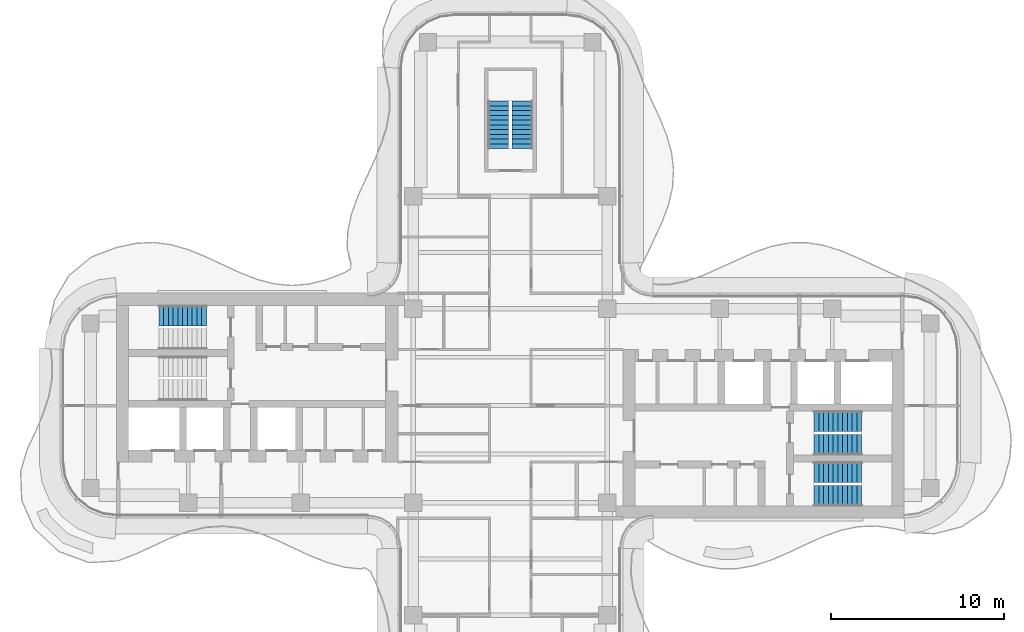
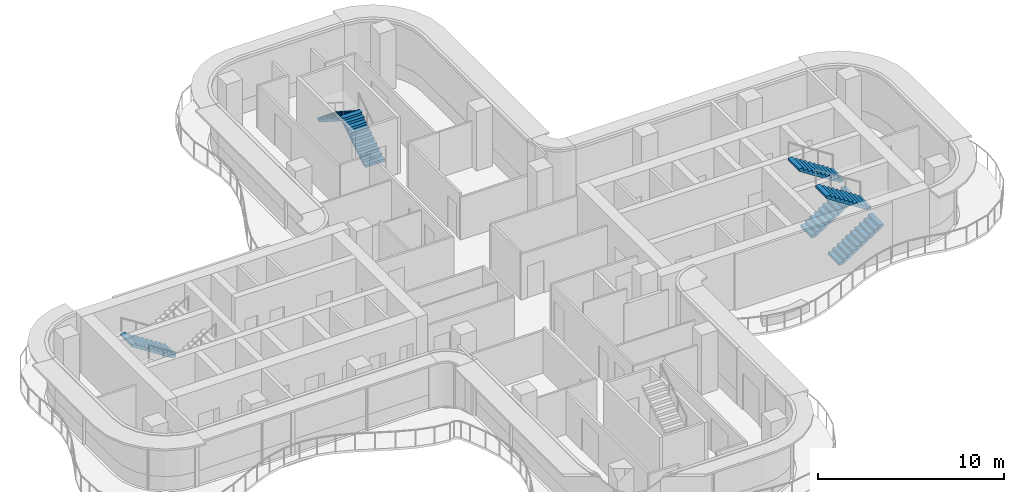
# One storey, part 14 of 16: 7 stair flights, 4 elements without a shape of their own.
"""IFC4 building model written with IfcOpenShell, lengths in metres."""

from ifc_helpers import new_model, si_unit, direction, frame, origin, place, context, subcontext, project, spatial, polyline, outline, extrude, source, transform, mapped, material, type_object, element, aggregate, save


model = new_model("IFC4")

# Units and contexts
model_context = context("Model", 3, precision=1e-05, world=origin(), true_north=direction((0.0, 1.0)))
body_context = subcontext(model_context, "Body", "Model", "MODEL_VIEW")
ifc_project = project(units=[si_unit("LENGTHUNIT", "METRE"), si_unit("AREAUNIT", "SQUARE_METRE"), si_unit("VOLUMEUNIT", "CUBIC_METRE"), si_unit("PLANEANGLEUNIT", "RADIAN"), si_unit("MASSUNIT", "GRAM", prefix="KILO")], contexts=[model_context])

# Site, building, storey
site_placement = place(None, origin())
site = spatial("IfcSite", under=ifc_project, at=site_placement, CompositionType="ELEMENT")
building_placement = place(site_placement, origin())
building = spatial("IfcBuilding", under=site, at=building_placement, Name="Trellis Farm Tower", CompositionType="ELEMENT")
storey_placement = place(building_placement, frame((0.0, 0.0, 291.10009765625)))
storey = spatial("IfcBuildingStorey", under=building, at=storey_placement, Name="L65", CompositionType="ELEMENT", Elevation=291.10009765625)

# Stair, stair flights
ifc_material = material(Name="Concrete C50/60", Category="concrete")
stair_type = type_object("IfcStairType", Name="CORE EXIT STAIR 22 RISERS 177 MM", PredefinedType="HALF_TURN_STAIR", material=ifc_material)
placement = place(storey_placement, origin())
stair_1 = element("IfcStair", 1, at=placement, inside=storey, type_object=stair_type, Name="Exit stair N", PredefinedType="HALF_TURN_STAIR")
stair_flight_type = type_object("IfcStairFlightType", Name="STAIR FLIGHT 11 RISERS 177 MM", PredefinedType="STRAIGHT", material=ifc_material)
shared_shape = source(origin(), body_context, "Body", "SweptSolid", [
    extrude(outline(polyline([(0.0, 0.0), (0.0, 0.17724609375), (0.27490234375, 0.17724609375), (0.27490234375, 0.3544921875), (0.550048828125, 0.3544921875), (0.550048828125, 0.53173828125), (0.824951171875, 0.53173828125), (0.824951171875, 0.708984375), (1.10009765625, 0.708984375), (1.10009765625, 0.886474609375), (1.375, 0.886474609375), (1.375, 1.063720703125), (1.64990234375, 1.063720703125), (1.64990234375, 1.240966796875), (1.925048828125, 1.240966796875), (1.925048828125, 1.418212890625), (2.199951171875, 1.418212890625), (2.199951171875, 1.595458984375), (2.47509765625, 1.595458984375), (2.47509765625, 1.772705078125), (2.75, 1.772705078125), (2.75, 1.949951171875), (2.75, 1.6181640625), (0.23974609375, 0.0), (0.0, 0.0)])), frame((0.0, 0.60009765625, 0.0), z_axis=(0.0, -1.0, 0.0), x_axis=(1.0, 0.0, 0.0)), (0.0, 0.0, 1.0), 1.199951171875),
])
stair_flight_1_placement = place(storey_placement, frame((0.699951171875, 14.85009765625, 0.0), z_axis=(0.0, 0.0, 1.0), x_axis=(0.0, 1.0, 0.0)))
stair_flight_1 = element("IfcStairFlight", 2, at=stair_flight_1_placement, type_object=stair_flight_type, Name="STN flight 1", NumberOfRisers=11, NumberOfTreads=10, PredefinedType="STRAIGHT", RiserHeight=0.177272727, TreadLength=0.275, context=body_context, shape_type="MappedRepresentation", body=[
    mapped(shared_shape, transform((0.0, 0.0, 0.0))),
])
stair_flight_2_placement = place(storey_placement, frame((-0.699951171875, 17.60009765625, 1.949951171875), z_axis=(0.0, 0.0, 1.0), x_axis=(0.0, -1.0, 0.0)))
stair_flight_2 = element("IfcStairFlight", 3, at=stair_flight_2_placement, type_object=stair_flight_type, Name="STN flight 2", NumberOfRisers=11, NumberOfTreads=10, PredefinedType="STRAIGHT", RiserHeight=0.177272727, TreadLength=0.275, context=body_context, shape_type="MappedRepresentation", body=[
    mapped(shared_shape, transform((0.0, 0.0, 0.0))),
])
aggregate(stair_1, [stair_flight_1, stair_flight_2])

stair_2 = element("IfcStair", 4, at=placement, inside=storey, type_object=stair_type, Name="Exit stair E1", PredefinedType="HALF_TURN_STAIR")
stair_flight_3_placement = place(storey_placement, frame((17.550048828125, -5.199951171875, 0.0), z_axis=(0.0, 0.0, 1.0), x_axis=(1.0, 0.0, 0.0)))
stair_flight_3 = element("IfcStairFlight", 5, at=stair_flight_3_placement, type_object=stair_flight_type, Name="STE1 flight 1", NumberOfRisers=11, NumberOfTreads=10, PredefinedType="STRAIGHT", RiserHeight=0.177272727, TreadLength=0.275, context=body_context, shape_type="MappedRepresentation", body=[
    mapped(shared_shape, transform((0.0, 0.0, 0.0))),
])
stair_flight_4_placement = place(storey_placement, frame((20.300048828125, -3.85009765625, 1.949951171875), z_axis=(0.0, 0.0, 1.0), x_axis=(-1.0, 0.0, 0.0)))
stair_flight_4 = element("IfcStairFlight", 6, at=stair_flight_4_placement, type_object=stair_flight_type, Name="STE1 flight 2", NumberOfRisers=11, NumberOfTreads=10, PredefinedType="STRAIGHT", RiserHeight=0.177272727, TreadLength=0.275, context=body_context, shape_type="MappedRepresentation", body=[
    mapped(shared_shape, transform((0.0, 0.0, 0.0))),
])
aggregate(stair_2, [stair_flight_3, stair_flight_4])

stair_3 = element("IfcStair", 7, at=placement, inside=storey, type_object=stair_type, Name="Exit stair E2", PredefinedType="HALF_TURN_STAIR")
stair_flight_5_placement = place(storey_placement, frame((17.550048828125, -2.25, 0.0), z_axis=(0.0, 0.0, 1.0), x_axis=(1.0, 0.0, 0.0)))
stair_flight_5 = element("IfcStairFlight", 8, at=stair_flight_5_placement, type_object=stair_flight_type, Name="STE2 flight 1", NumberOfRisers=11, NumberOfTreads=10, PredefinedType="STRAIGHT", RiserHeight=0.177272727, TreadLength=0.275, context=body_context, shape_type="MappedRepresentation", body=[
    mapped(shared_shape, transform((0.0, 0.0, 0.0))),
])
stair_flight_6_placement = place(storey_placement, frame((20.300048828125, -0.89990234375, 1.949951171875), z_axis=(0.0, 0.0, 1.0), x_axis=(-1.0, 0.0, 0.0)))
stair_flight_6 = element("IfcStairFlight", 9, at=stair_flight_6_placement, type_object=stair_flight_type, Name="STE2 flight 2", NumberOfRisers=11, NumberOfTreads=10, PredefinedType="STRAIGHT", RiserHeight=0.177272727, TreadLength=0.275, context=body_context, shape_type="MappedRepresentation", body=[
    mapped(shared_shape, transform((0.0, 0.0, 0.0))),
])
aggregate(stair_3, [stair_flight_5, stair_flight_6])

# Stair, stair flight
stair_4 = element("IfcStair", 10, at=placement, inside=storey, type_object=stair_type, Name="Exit stair W1", PredefinedType="HALF_TURN_STAIR")
stair_flight_7_placement = place(storey_placement, frame((-17.550048828125, 5.199951171875, 0.0), z_axis=(0.0, 0.0, 1.0), x_axis=(-1.0, 0.0, 0.0)))
stair_flight_7 = element("IfcStairFlight", 11, at=stair_flight_7_placement, type_object=stair_flight_type, Name="STW1 flight 1", NumberOfRisers=11, NumberOfTreads=10, PredefinedType="STRAIGHT", RiserHeight=0.177272727, TreadLength=0.275, context=body_context, shape_type="MappedRepresentation", body=[
    mapped(shared_shape, transform((0.0, 0.0, 0.0))),
])
aggregate(stair_4, [stair_flight_7])

save(model, "model.ifc")
